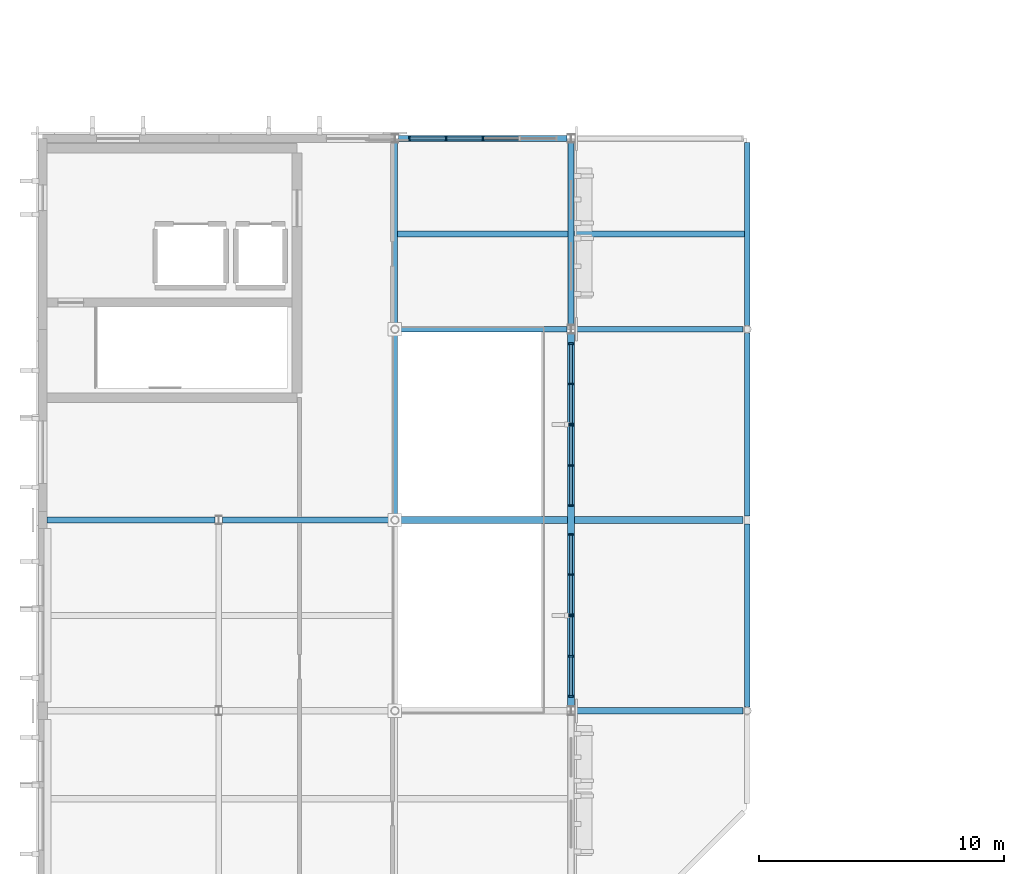
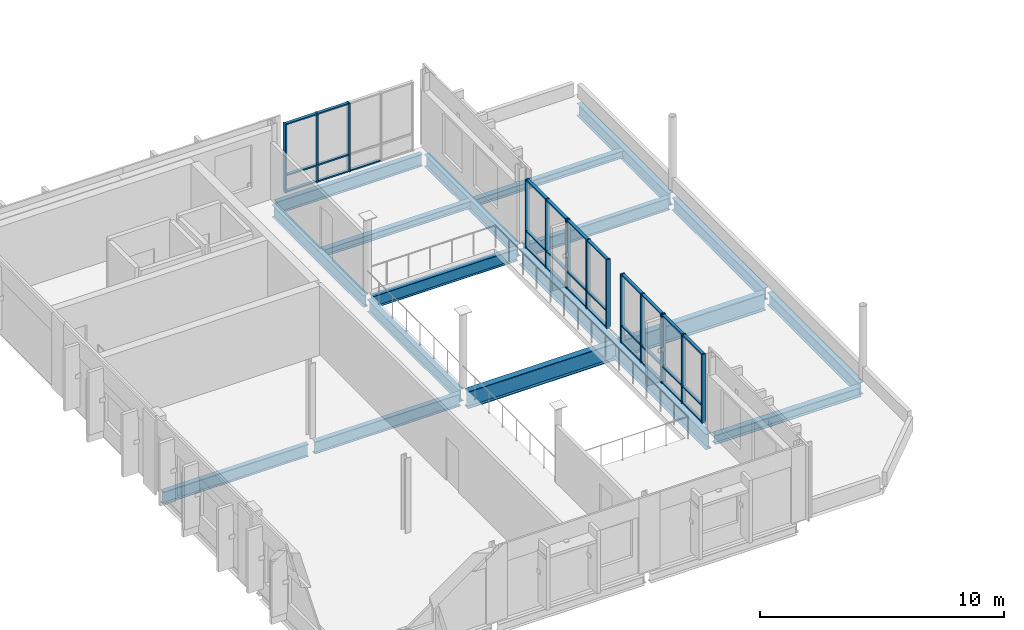
# One storey, part 4 of 23: 46 members, 16 beams, 5 elements without a shape of their own.
"""IFC4 building model written with IfcOpenShell, lengths in metres."""

import ifcopenshell
import ifcopenshell.guid

model = None  # the IFC model being written
_history = None  # IfcOwnerHistory: only IFC2X3 demands one
_inside = {}  # id of a spatial element -> (the spatial element, [elements in it])
_under = {}  # id of a project, library or spatial element -> (it, [spatial elements below it])
_declared = {}  # id of a project -> (the project, [libraries it declares])
_typed = {}  # id of a type object -> (the type object, [elements of that type])
_made_of = {}  # id of a material, layer set ... -> (it, [elements and type objects made of it])


def new_model(schema):
    """Start an empty IFC model of exactly this schema.

    Asked for "IFC4X3", IfcOpenShell would pick the latest addendum, in which some entities
    have other attributes; the version numbers below select the first issue.
    IFC2X3 requires an IfcOwnerHistory on every rooted entity: one is made here for all.
    """
    global model, _history
    if schema == "IFC4X3":
        model = ifcopenshell.file(schema_version=(4, 3, 0, 0))
    else:
        model = ifcopenshell.file(schema=schema)
    _inside.clear()
    _under.clear()
    _declared.clear()
    _typed.clear()
    _made_of.clear()
    _history = None
    if model.schema == "IFC2X3":
        org = make("IfcOrganization", Name="unknown")
        user = make(
            "IfcPersonAndOrganization",
            ThePerson=make("IfcPerson", FamilyName="unknown"),
            TheOrganization=org,
        )
        app = make(
            "IfcApplication",
            ApplicationDeveloper=org,
            Version="unknown",
            ApplicationFullName="unknown",
            ApplicationIdentifier="unknown",
        )
        _history = make(
            "IfcOwnerHistory",
            OwningUser=user,
            OwningApplication=app,
            ChangeAction="ADDED",
            CreationDate=0,
        )
    return model


def make(cls, **values):
    """One entity of the class cls with the attributes given. An attribute that is None is left unset."""
    return model.create_entity(
        cls, **{name: value for name, value in values.items() if value is not None}
    )


def rooted(cls, **values):
    """An entity with a GlobalId (a new one), such as an element, a storey or a relation."""
    return make(cls, GlobalId=ifcopenshell.guid.new(), OwnerHistory=_history, **values)


def si_unit(unit_type, name, prefix=None):
    """IfcSIUnit, for example si_unit("LENGTHUNIT", "METRE", prefix="MILLI")."""
    return make("IfcSIUnit", UnitType=unit_type, Prefix=prefix, Name=name)


def assignment(units):
    """IfcUnitAssignment: the units of a project."""
    return None if units is None else make("IfcUnitAssignment", Units=units)


def point(xyz):
    """IfcCartesianPoint."""
    return None if xyz is None else make("IfcCartesianPoint", Coordinates=xyz)


def direction(xyz):
    """IfcDirection."""
    return None if xyz is None else make("IfcDirection", DirectionRatios=xyz)


def frame(location, z_axis=None, x_axis=None):
    """IfcAxis2Placement3D, a coordinate frame: its origin and axes. An axis left out is left unset."""
    return make(
        "IfcAxis2Placement3D",
        Location=point(location),
        Axis=direction(z_axis),
        RefDirection=direction(x_axis),
    )


def frame_2d(location, x_axis=None):
    """IfcAxis2Placement2D, a coordinate frame in the plane: its origin and x axis."""
    return make(
        "IfcAxis2Placement2D", Location=point(location), RefDirection=direction(x_axis)
    )


def origin():
    """The frame at (0, 0, 0) with its axes left unset."""
    return frame((0.0, 0.0, 0.0))


def origin_2d():
    """The frame at (0, 0) in the plane with its x axis left unset."""
    return frame_2d((0.0, 0.0))


def place(relative_to, where):
    """IfcLocalPlacement: puts the frame where relative to a parent placement (None: the world)."""
    return make(
        "IfcLocalPlacement", PlacementRelTo=relative_to, RelativePlacement=where
    )


def context(
    kind, dimensions, precision=None, world=None, true_north=None, identifier=None
):
    """IfcGeometricRepresentationContext, for example the 3D "Model" context."""
    return make(
        "IfcGeometricRepresentationContext",
        ContextIdentifier=identifier,
        ContextType=kind,
        CoordinateSpaceDimension=dimensions,
        Precision=precision,
        WorldCoordinateSystem=world,
        TrueNorth=true_north,
    )


def subcontext(parent, identifier, kind, view, scale=None):
    """IfcGeometricRepresentationSubContext, for example "Body" below "Model"."""
    return make(
        "IfcGeometricRepresentationSubContext",
        ContextIdentifier=identifier,
        ContextType=kind,
        ParentContext=parent,
        TargetScale=scale,
        TargetView=view,
    )


def project(units=None, contexts=None):
    """IfcProject with its units and contexts."""
    return rooted(
        "IfcProject",
        Name="project",
        RepresentationContexts=contexts,
        UnitsInContext=assignment(units),
    )


def spatial(cls, under=None, at=None, **own):
    """A site, building, storey or space (cls), placed at a placement, below another one or the project."""
    s = rooted(cls, ObjectPlacement=at, **own)
    if under is not None:
        _under.setdefault(under.id(), (under, []))[1].append(s)
    return s


def profile(cls, at=None, kind="AREA", **sizes):
    """A parametric profile (cls). Its sizes go by their IFC names, for example OverallWidth=200.0."""
    return make(cls, ProfileType=kind, Position=at, **sizes)


def rectangle(**sizes):
    """IfcRectangleProfileDef."""
    return profile("IfcRectangleProfileDef", **sizes)


def i_section(**sizes):
    """IfcIShapeProfileDef."""
    return profile("IfcIShapeProfileDef", **sizes)


def extrude(swept, where, along, depth):
    """IfcExtrudedAreaSolid: the profile swept, set in the frame where, extruded along a direction by depth."""
    return make(
        "IfcExtrudedAreaSolid",
        SweptArea=swept,
        Position=where,
        ExtrudedDirection=direction(along),
        Depth=depth,
    )


def shape(context_of_items, identifier, shape_type, items):
    """IfcShapeRepresentation: the items that make up one representation, for example the "Body"."""
    return make(
        "IfcShapeRepresentation",
        ContextOfItems=context_of_items,
        RepresentationIdentifier=identifier,
        RepresentationType=shape_type,
        Items=items,
    )


def material(Name=None, Category=None):
    """IfcMaterial."""
    return make("IfcMaterial", Name=Name, Category=Category)


def material_profile(
    of_material, cross_section, Name=None, Category=None, Priority=None
):
    """IfcMaterialProfile: a cross section and its material."""
    return make(
        "IfcMaterialProfile",
        Name=Name,
        Material=of_material,
        Profile=cross_section,
        Priority=Priority,
        Category=Category,
    )


def profile_set(profiles, Name=None, composite=None):
    """IfcMaterialProfileSet."""
    return make(
        "IfcMaterialProfileSet",
        Name=Name,
        MaterialProfiles=profiles,
        CompositeProfile=composite,
    )


def made_of(thing, what):
    """Note that an element or type object is made of a material, layer set ...; save() writes the relation."""
    if what is not None:
        _made_of.setdefault(what.id(), (what, []))[1].append(thing)
    return thing


def type_object(cls, material=None, **own):
    """A type object (cls), such as IfcWallType, which elements share."""
    return made_of(rooted(cls, **own), material)


def element(
    cls,
    number,
    at=None,
    inside=None,
    cuts=None,
    type_object=None,
    material=None,
    context=None,
    identifier="Body",
    shape_type=None,
    held_by="IfcProductDefinitionShape",
    body=None,
    shapes=None,
    **own,
):
    """One element of the class cls, such as IfcWall. Its Tag is "e" and its number.

    at: its placement. inside: the storey or other place that contains it. cuts: it is an
    opening in that element (IfcRelVoidsElement). A single representation is given by context,
    identifier, shape_type and body (its items); several are given by shapes. held_by: the class
    of the entity that holds the representations. save() writes the other relations.
    """
    e = rooted(cls, Tag="e%d" % number, ObjectPlacement=at, **own)
    if body is not None:
        shapes = [shape(context, identifier, shape_type, body)]
    if shapes is not None:
        e.Representation = make(held_by, Representations=shapes)
    if inside is not None:
        _inside.setdefault(inside.id(), (inside, []))[1].append(e)
    if cuts is not None:
        rooted(
            "IfcRelVoidsElement", RelatingBuildingElement=cuts, RelatedOpeningElement=e
        )
    if type_object is not None:
        _typed.setdefault(type_object.id(), (type_object, []))[1].append(e)
    return made_of(e, material)


def aggregate(whole, parts):
    """IfcRelAggregates: a whole, such as a stair, and the parts it consists of."""
    return rooted("IfcRelAggregates", RelatingObject=whole, RelatedObjects=parts)


def save(model, path):
    """Write the relations noted so far, then the file.

    IfcRelAggregates (storeys below a building ...), IfcRelContainedInSpatialStructure (elements
    in a storey), IfcRelDefinesByType, IfcRelAssociatesMaterial and IfcRelDeclares: one each for
    every whole, place, type object, material and project.
    """
    for whole, parts in _under.values():
        aggregate(whole, parts)
    for where, things in _inside.values():
        rooted(
            "IfcRelContainedInSpatialStructure",
            RelatedElements=things,
            RelatingStructure=where,
        )
    for kind, things in _typed.values():
        rooted("IfcRelDefinesByType", RelatedObjects=things, RelatingType=kind)
    for what, things in _made_of.values():
        rooted("IfcRelAssociatesMaterial", RelatedObjects=things, RelatingMaterial=what)
    for by, libraries in _declared.values():
        rooted("IfcRelDeclares", RelatingContext=by, RelatedDefinitions=libraries)
    model.write(path)


model = new_model("IFC4")

# Units and contexts
model_context = context("Model", 3, precision=1e-05, world=origin(), true_north=direction((0.0, 1.0)))
body_context = subcontext(model_context, "Body", "Model", "MODEL_VIEW")
ifc_project = project(units=[si_unit("LENGTHUNIT", "METRE"), si_unit("AREAUNIT", "SQUARE_METRE"), si_unit("VOLUMEUNIT", "CUBIC_METRE"), si_unit("PLANEANGLEUNIT", "RADIAN"), si_unit("MASSUNIT", "GRAM", prefix="KILO")], contexts=[model_context])

# Site, building, storey
site_placement = place(None, origin())
site = spatial("IfcSite", under=ifc_project, at=site_placement, CompositionType="ELEMENT")
building_placement = place(site_placement, origin())
building = spatial("IfcBuilding", under=site, at=building_placement, Name="Vervanel Yard Central Library", CompositionType="ELEMENT")
storey_placement = place(building_placement, frame((0.0, 0.0, 16.52001953125)))
storey = spatial("IfcBuildingStorey", under=building, at=storey_placement, Name="L04", CompositionType="ELEMENT", Elevation=16.52001953125)

# Curtain wall, members
ifc_material_1 = material(Name="Thermally broken anodized aluminium 6063-T6", Category="aluminium")
curtain_wall_type = type_object("IfcCurtainWallType", Name="Atrium Courtyard Curtain Wall", PredefinedType="NOTDEFINED", material=ifc_material_1)
curtain_wall_1_placement = place(storey_placement, origin())
curtain_wall_1 = element("IfcCurtainWall", 1, at=curtain_wall_1_placement, inside=storey, type_object=curtain_wall_type, Name="L04 Atrium Courtyard Curtain Wall CWR-L04-043", PredefinedType="NOTDEFINED")
ifc_material_profile_1 = material_profile(ifc_material_1, rectangle(XDim=0.06494140625, YDim=0.18994140625, at=origin_2d()), Name="ALU 65x190", Category="aluminium")
ifc_profile_set_1 = profile_set([ifc_material_profile_1], Name="Thermally broken anodized aluminium 6063-T6")
member_type_1 = type_object("IfcMemberType", Name="Curtain Wall Primary Mullion 65x190", PredefinedType="MULLION", material=ifc_profile_set_1)
member_1_placement = place(storey_placement, frame((21.60009765625, 43.79248046875, 0.0), z_axis=(0.0, 0.0, 1.0), x_axis=(0.0, 1.0, 0.0)))
member_1 = element("IfcMember", 2, at=member_1_placement, type_object=member_type_1, Name="CWR-L04-043 Mullion 1", PredefinedType="MULLION", context=body_context, shape_type="SweptSolid", body=[
    extrude(rectangle(XDim=0.06494140625, YDim=0.18994140625, at=origin_2d()), origin(), (0.0, 0.0, 1.0), 3.43994140625),
])
member_2_placement = place(storey_placement, frame((21.60009765625, 45.429931640625, 0.0), z_axis=(0.0, 0.0, 1.0), x_axis=(0.0, 1.0, 0.0)))
member_2 = element("IfcMember", 3, at=member_2_placement, type_object=member_type_1, Name="CWR-L04-043 Mullion 2", PredefinedType="MULLION", context=body_context, shape_type="SweptSolid", body=[
    extrude(rectangle(XDim=0.06494140625, YDim=0.18994140625, at=origin_2d()), origin(), (0.0, 0.0, 1.0), 3.43994140625),
])
member_3_placement = place(storey_placement, frame((21.60009765625, 47.0673828125, 0.0), z_axis=(0.0, 0.0, 1.0), x_axis=(0.0, 1.0, 0.0)))
member_3 = element("IfcMember", 4, at=member_3_placement, type_object=member_type_1, Name="CWR-L04-043 Mullion 3", PredefinedType="MULLION", context=body_context, shape_type="SweptSolid", body=[
    extrude(rectangle(XDim=0.06494140625, YDim=0.18994140625, at=origin_2d()), origin(), (0.0, 0.0, 1.0), 3.43994140625),
])

curtain_wall_2_placement = place(storey_placement, origin())
curtain_wall_2 = element("IfcCurtainWall", 5, at=curtain_wall_2_placement, inside=storey, type_object=curtain_wall_type, Name="L04 Atrium Courtyard Curtain Wall CWR-L04-044", PredefinedType="NOTDEFINED")
member_4_placement = place(storey_placement, frame((21.60009765625, 47.132568359375, 0.0), z_axis=(0.0, 0.0, 1.0), x_axis=(0.0, 1.0, 0.0)))
member_4 = element("IfcMember", 6, at=member_4_placement, type_object=member_type_1, Name="CWR-L04-044 Mullion 1", PredefinedType="MULLION", context=body_context, shape_type="SweptSolid", body=[
    extrude(rectangle(XDim=0.06494140625, YDim=0.18994140625, at=origin_2d()), origin(), (0.0, 0.0, 1.0), 3.43994140625),
])
member_5_placement = place(storey_placement, frame((21.60009765625, 48.77001953125, 0.0), z_axis=(0.0, 0.0, 1.0), x_axis=(0.0, 1.0, 0.0)))
member_5 = element("IfcMember", 7, at=member_5_placement, type_object=member_type_1, Name="CWR-L04-044 Mullion 2", PredefinedType="MULLION", context=body_context, shape_type="SweptSolid", body=[
    extrude(rectangle(XDim=0.06494140625, YDim=0.18994140625, at=origin_2d()), origin(), (0.0, 0.0, 1.0), 3.43994140625),
])
member_6_placement = place(storey_placement, frame((21.60009765625, 50.407470703125, 0.0), z_axis=(0.0, 0.0, 1.0), x_axis=(0.0, 1.0, 0.0)))
member_6 = element("IfcMember", 8, at=member_6_placement, type_object=member_type_1, Name="CWR-L04-044 Mullion 3", PredefinedType="MULLION", context=body_context, shape_type="SweptSolid", body=[
    extrude(rectangle(XDim=0.06494140625, YDim=0.18994140625, at=origin_2d()), origin(), (0.0, 0.0, 1.0), 3.43994140625),
])

curtain_wall_3_placement = place(storey_placement, origin())
curtain_wall_3 = element("IfcCurtainWall", 9, at=curtain_wall_3_placement, inside=storey, type_object=curtain_wall_type, Name="L04 Atrium Courtyard Curtain Wall CWR-L04-045", PredefinedType="NOTDEFINED")
member_7_placement = place(storey_placement, frame((21.60009765625, 51.592529296875, 0.0), z_axis=(0.0, 0.0, 1.0), x_axis=(0.0, 1.0, 0.0)))
member_7 = element("IfcMember", 10, at=member_7_placement, type_object=member_type_1, Name="CWR-L04-045 Mullion 1", PredefinedType="MULLION", context=body_context, shape_type="SweptSolid", body=[
    extrude(rectangle(XDim=0.06494140625, YDim=0.18994140625, at=origin_2d()), origin(), (0.0, 0.0, 1.0), 3.43994140625),
])
member_8_placement = place(storey_placement, frame((21.60009765625, 53.22998046875, 0.0), z_axis=(0.0, 0.0, 1.0), x_axis=(0.0, 1.0, 0.0)))
member_8 = element("IfcMember", 11, at=member_8_placement, type_object=member_type_1, Name="CWR-L04-045 Mullion 2", PredefinedType="MULLION", context=body_context, shape_type="SweptSolid", body=[
    extrude(rectangle(XDim=0.06494140625, YDim=0.18994140625, at=origin_2d()), origin(), (0.0, 0.0, 1.0), 3.43994140625),
])
member_9_placement = place(storey_placement, frame((21.60009765625, 54.867431640625, 0.0), z_axis=(0.0, 0.0, 1.0), x_axis=(0.0, 1.0, 0.0)))
member_9 = element("IfcMember", 12, at=member_9_placement, type_object=member_type_1, Name="CWR-L04-045 Mullion 3", PredefinedType="MULLION", context=body_context, shape_type="SweptSolid", body=[
    extrude(rectangle(XDim=0.06494140625, YDim=0.18994140625, at=origin_2d()), origin(), (0.0, 0.0, 1.0), 3.43994140625),
])

curtain_wall_4_placement = place(storey_placement, origin())
curtain_wall_4 = element("IfcCurtainWall", 13, at=curtain_wall_4_placement, inside=storey, type_object=curtain_wall_type, Name="L04 Atrium Courtyard Curtain Wall CWR-L04-046", PredefinedType="NOTDEFINED")
member_10_placement = place(storey_placement, frame((21.60009765625, 54.9326171875, 0.0), z_axis=(0.0, 0.0, 1.0), x_axis=(0.0, 1.0, 0.0)))
member_10 = element("IfcMember", 14, at=member_10_placement, type_object=member_type_1, Name="CWR-L04-046 Mullion 1", PredefinedType="MULLION", context=body_context, shape_type="SweptSolid", body=[
    extrude(rectangle(XDim=0.06494140625, YDim=0.18994140625, at=origin_2d()), origin(), (0.0, 0.0, 1.0), 3.43994140625),
])
member_11_placement = place(storey_placement, frame((21.60009765625, 56.570068359375, 0.0), z_axis=(0.0, 0.0, 1.0), x_axis=(0.0, 1.0, 0.0)))
member_11 = element("IfcMember", 15, at=member_11_placement, type_object=member_type_1, Name="CWR-L04-046 Mullion 2", PredefinedType="MULLION", context=body_context, shape_type="SweptSolid", body=[
    extrude(rectangle(XDim=0.06494140625, YDim=0.18994140625, at=origin_2d()), origin(), (0.0, 0.0, 1.0), 3.43994140625),
])
member_12_placement = place(storey_placement, frame((21.60009765625, 58.20751953125, 0.0), z_axis=(0.0, 0.0, 1.0), x_axis=(0.0, 1.0, 0.0)))
member_12 = element("IfcMember", 16, at=member_12_placement, type_object=member_type_1, Name="CWR-L04-046 Mullion 3", PredefinedType="MULLION", context=body_context, shape_type="SweptSolid", body=[
    extrude(rectangle(XDim=0.06494140625, YDim=0.18994140625, at=origin_2d()), origin(), (0.0, 0.0, 1.0), 3.43994140625),
])

curtain_wall_5_placement = place(storey_placement, origin())
curtain_wall_5 = element("IfcCurtainWall", 17, at=curtain_wall_5_placement, inside=storey, type_object=curtain_wall_type, Name="L04 Atrium Courtyard Curtain Wall CWR-L04-047", PredefinedType="NOTDEFINED")
member_13_placement = place(storey_placement, frame((14.992431640625, 66.60009765625, 0.0), z_axis=(0.0, 0.0, 1.0), x_axis=(1.0, 0.0, 0.0)))
member_13 = element("IfcMember", 18, at=member_13_placement, type_object=member_type_1, Name="CWR-L04-047 Mullion 1", PredefinedType="MULLION", context=body_context, shape_type="SweptSolid", body=[
    extrude(rectangle(XDim=0.06494140625, YDim=0.18994140625, at=origin_2d()), origin(), (0.0, 0.0, 1.0), 3.43994140625),
])
member_14_placement = place(storey_placement, frame((16.496337890625, 66.60009765625, 0.0), z_axis=(0.0, 0.0, 1.0), x_axis=(1.0, 0.0, 0.0)))
member_14 = element("IfcMember", 19, at=member_14_placement, type_object=member_type_1, Name="CWR-L04-047 Mullion 2", PredefinedType="MULLION", context=body_context, shape_type="SweptSolid", body=[
    extrude(rectangle(XDim=0.06494140625, YDim=0.18994140625, at=origin_2d()), origin(), (0.0, 0.0, 1.0), 3.43994140625),
])
member_15_placement = place(storey_placement, frame((18.0, 66.60009765625, 0.0), z_axis=(0.0, 0.0, 1.0), x_axis=(1.0, 0.0, 0.0)))
member_15 = element("IfcMember", 20, at=member_15_placement, type_object=member_type_1, Name="CWR-L04-047 Mullion 3", PredefinedType="MULLION", context=body_context, shape_type="SweptSolid", body=[
    extrude(rectangle(XDim=0.06494140625, YDim=0.18994140625, at=origin_2d()), origin(), (0.0, 0.0, 1.0), 3.43994140625),
])

# Member
ifc_material_profile_2 = material_profile(ifc_material_1, rectangle(XDim=0.06494140625, YDim=0.139892578125, at=origin_2d()), Name="ALU 65x140", Category="aluminium")
ifc_profile_set_2 = profile_set([ifc_material_profile_2], Name="Thermally broken anodized aluminium 6063-T6")
member_type_2 = type_object("IfcMemberType", Name="Curtain Wall Transom 65x140", PredefinedType="NOTDEFINED", material=ifc_profile_set_2)
member_16_placement = place(storey_placement, frame((21.60009765625, 43.824951171875, 0.032470703125), z_axis=(0.0, 1.0, 0.0), x_axis=(0.0, 0.0, 1.0)))
member_16 = element("IfcMember", 21, at=member_16_placement, type_object=member_type_2, Name="CWR-L04-043 Transom B1-T1", ObjectType="TRANSOM", PredefinedType="USERDEFINED", context=body_context, shape_type="SweptSolid", body=[
    extrude(rectangle(XDim=0.06494140625, YDim=0.139892578125, at=origin_2d()), origin(), (0.0, 0.0, 1.0), 1.572509765625),
])

member_17_placement = place(storey_placement, frame((21.60009765625, 43.824951171875, 0.85009765625), z_axis=(0.0, 1.0, 0.0), x_axis=(0.0, 0.0, 1.0)))
member_17 = element("IfcMember", 22, at=member_17_placement, type_object=member_type_2, Name="CWR-L04-043 Transom B1-T2", ObjectType="TRANSOM", PredefinedType="USERDEFINED", context=body_context, shape_type="SweptSolid", body=[
    extrude(rectangle(XDim=0.06494140625, YDim=0.139892578125, at=origin_2d()), origin(), (0.0, 0.0, 1.0), 1.572509765625),
])

member_18_placement = place(storey_placement, frame((21.60009765625, 43.824951171875, 3.407470703125), z_axis=(0.0, 1.0, 0.0), x_axis=(0.0, 0.0, 1.0)))
member_18 = element("IfcMember", 23, at=member_18_placement, type_object=member_type_2, Name="CWR-L04-043 Transom B1-T3", ObjectType="TRANSOM", PredefinedType="USERDEFINED", context=body_context, shape_type="SweptSolid", body=[
    extrude(rectangle(XDim=0.06494140625, YDim=0.139892578125, at=origin_2d()), origin(), (0.0, 0.0, 1.0), 1.572509765625),
])

member_19_placement = place(storey_placement, frame((21.60009765625, 45.46240234375, 0.032470703125), z_axis=(0.0, 1.0, 0.0), x_axis=(0.0, 0.0, 1.0)))
member_19 = element("IfcMember", 24, at=member_19_placement, type_object=member_type_2, Name="CWR-L04-043 Transom B2-T1", ObjectType="TRANSOM", PredefinedType="USERDEFINED", context=body_context, shape_type="SweptSolid", body=[
    extrude(rectangle(XDim=0.06494140625, YDim=0.139892578125, at=origin_2d()), origin(), (0.0, 0.0, 1.0), 1.572509765625),
])

member_20_placement = place(storey_placement, frame((21.60009765625, 45.46240234375, 0.85009765625), z_axis=(0.0, 1.0, 0.0), x_axis=(0.0, 0.0, 1.0)))
member_20 = element("IfcMember", 25, at=member_20_placement, type_object=member_type_2, Name="CWR-L04-043 Transom B2-T2", ObjectType="TRANSOM", PredefinedType="USERDEFINED", context=body_context, shape_type="SweptSolid", body=[
    extrude(rectangle(XDim=0.06494140625, YDim=0.139892578125, at=origin_2d()), origin(), (0.0, 0.0, 1.0), 1.572509765625),
])

member_21_placement = place(storey_placement, frame((21.60009765625, 45.46240234375, 3.407470703125), z_axis=(0.0, 1.0, 0.0), x_axis=(0.0, 0.0, 1.0)))
member_21 = element("IfcMember", 26, at=member_21_placement, type_object=member_type_2, Name="CWR-L04-043 Transom B2-T3", ObjectType="TRANSOM", PredefinedType="USERDEFINED", context=body_context, shape_type="SweptSolid", body=[
    extrude(rectangle(XDim=0.06494140625, YDim=0.139892578125, at=origin_2d()), origin(), (0.0, 0.0, 1.0), 1.572509765625),
])

aggregate(curtain_wall_1, [member_1, member_2, member_3, member_16, member_17, member_18, member_19, member_20, member_21])

member_22_placement = place(storey_placement, frame((21.60009765625, 47.1650390625, 0.032470703125), z_axis=(0.0, 1.0, 0.0), x_axis=(0.0, 0.0, 1.0)))
member_22 = element("IfcMember", 27, at=member_22_placement, type_object=member_type_2, Name="CWR-L04-044 Transom B1-T1", ObjectType="TRANSOM", PredefinedType="USERDEFINED", context=body_context, shape_type="SweptSolid", body=[
    extrude(rectangle(XDim=0.06494140625, YDim=0.139892578125, at=origin_2d()), origin(), (0.0, 0.0, 1.0), 1.572509765625),
])

member_23_placement = place(storey_placement, frame((21.60009765625, 47.1650390625, 0.85009765625), z_axis=(0.0, 1.0, 0.0), x_axis=(0.0, 0.0, 1.0)))
member_23 = element("IfcMember", 28, at=member_23_placement, type_object=member_type_2, Name="CWR-L04-044 Transom B1-T2", ObjectType="TRANSOM", PredefinedType="USERDEFINED", context=body_context, shape_type="SweptSolid", body=[
    extrude(rectangle(XDim=0.06494140625, YDim=0.139892578125, at=origin_2d()), origin(), (0.0, 0.0, 1.0), 1.572509765625),
])

member_24_placement = place(storey_placement, frame((21.60009765625, 47.1650390625, 3.407470703125), z_axis=(0.0, 1.0, 0.0), x_axis=(0.0, 0.0, 1.0)))
member_24 = element("IfcMember", 29, at=member_24_placement, type_object=member_type_2, Name="CWR-L04-044 Transom B1-T3", ObjectType="TRANSOM", PredefinedType="USERDEFINED", context=body_context, shape_type="SweptSolid", body=[
    extrude(rectangle(XDim=0.06494140625, YDim=0.139892578125, at=origin_2d()), origin(), (0.0, 0.0, 1.0), 1.572509765625),
])

member_25_placement = place(storey_placement, frame((21.60009765625, 48.802490234375, 0.032470703125), z_axis=(0.0, 1.0, 0.0), x_axis=(0.0, 0.0, 1.0)))
member_25 = element("IfcMember", 30, at=member_25_placement, type_object=member_type_2, Name="CWR-L04-044 Transom B2-T1", ObjectType="TRANSOM", PredefinedType="USERDEFINED", context=body_context, shape_type="SweptSolid", body=[
    extrude(rectangle(XDim=0.06494140625, YDim=0.139892578125, at=origin_2d()), origin(), (0.0, 0.0, 1.0), 1.572509765625),
])

member_26_placement = place(storey_placement, frame((21.60009765625, 48.802490234375, 0.85009765625), z_axis=(0.0, 1.0, 0.0), x_axis=(0.0, 0.0, 1.0)))
member_26 = element("IfcMember", 31, at=member_26_placement, type_object=member_type_2, Name="CWR-L04-044 Transom B2-T2", ObjectType="TRANSOM", PredefinedType="USERDEFINED", context=body_context, shape_type="SweptSolid", body=[
    extrude(rectangle(XDim=0.06494140625, YDim=0.139892578125, at=origin_2d()), origin(), (0.0, 0.0, 1.0), 1.572509765625),
])

member_27_placement = place(storey_placement, frame((21.60009765625, 48.802490234375, 3.407470703125), z_axis=(0.0, 1.0, 0.0), x_axis=(0.0, 0.0, 1.0)))
member_27 = element("IfcMember", 32, at=member_27_placement, type_object=member_type_2, Name="CWR-L04-044 Transom B2-T3", ObjectType="TRANSOM", PredefinedType="USERDEFINED", context=body_context, shape_type="SweptSolid", body=[
    extrude(rectangle(XDim=0.06494140625, YDim=0.139892578125, at=origin_2d()), origin(), (0.0, 0.0, 1.0), 1.572509765625),
])

aggregate(curtain_wall_2, [member_4, member_5, member_6, member_22, member_23, member_24, member_25, member_26, member_27])

member_28_placement = place(storey_placement, frame((21.60009765625, 51.625, 0.032470703125), z_axis=(0.0, 1.0, 0.0), x_axis=(0.0, 0.0, 1.0)))
member_28 = element("IfcMember", 33, at=member_28_placement, type_object=member_type_2, Name="CWR-L04-045 Transom B1-T1", ObjectType="TRANSOM", PredefinedType="USERDEFINED", context=body_context, shape_type="SweptSolid", body=[
    extrude(rectangle(XDim=0.06494140625, YDim=0.139892578125, at=origin_2d()), origin(), (0.0, 0.0, 1.0), 1.572509765625),
])

member_29_placement = place(storey_placement, frame((21.60009765625, 51.625, 0.85009765625), z_axis=(0.0, 1.0, 0.0), x_axis=(0.0, 0.0, 1.0)))
member_29 = element("IfcMember", 34, at=member_29_placement, type_object=member_type_2, Name="CWR-L04-045 Transom B1-T2", ObjectType="TRANSOM", PredefinedType="USERDEFINED", context=body_context, shape_type="SweptSolid", body=[
    extrude(rectangle(XDim=0.06494140625, YDim=0.139892578125, at=origin_2d()), origin(), (0.0, 0.0, 1.0), 1.572509765625),
])

member_30_placement = place(storey_placement, frame((21.60009765625, 51.625, 3.407470703125), z_axis=(0.0, 1.0, 0.0), x_axis=(0.0, 0.0, 1.0)))
member_30 = element("IfcMember", 35, at=member_30_placement, type_object=member_type_2, Name="CWR-L04-045 Transom B1-T3", ObjectType="TRANSOM", PredefinedType="USERDEFINED", context=body_context, shape_type="SweptSolid", body=[
    extrude(rectangle(XDim=0.06494140625, YDim=0.139892578125, at=origin_2d()), origin(), (0.0, 0.0, 1.0), 1.572509765625),
])

member_31_placement = place(storey_placement, frame((21.60009765625, 53.262451171875, 0.032470703125), z_axis=(0.0, 1.0, 0.0), x_axis=(0.0, 0.0, 1.0)))
member_31 = element("IfcMember", 36, at=member_31_placement, type_object=member_type_2, Name="CWR-L04-045 Transom B2-T1", ObjectType="TRANSOM", PredefinedType="USERDEFINED", context=body_context, shape_type="SweptSolid", body=[
    extrude(rectangle(XDim=0.06494140625, YDim=0.139892578125, at=origin_2d()), origin(), (0.0, 0.0, 1.0), 1.572509765625),
])

member_32_placement = place(storey_placement, frame((21.60009765625, 53.262451171875, 0.85009765625), z_axis=(0.0, 1.0, 0.0), x_axis=(0.0, 0.0, 1.0)))
member_32 = element("IfcMember", 37, at=member_32_placement, type_object=member_type_2, Name="CWR-L04-045 Transom B2-T2", ObjectType="TRANSOM", PredefinedType="USERDEFINED", context=body_context, shape_type="SweptSolid", body=[
    extrude(rectangle(XDim=0.06494140625, YDim=0.139892578125, at=origin_2d()), origin(), (0.0, 0.0, 1.0), 1.572509765625),
])

member_33_placement = place(storey_placement, frame((21.60009765625, 53.262451171875, 3.407470703125), z_axis=(0.0, 1.0, 0.0), x_axis=(0.0, 0.0, 1.0)))
member_33 = element("IfcMember", 38, at=member_33_placement, type_object=member_type_2, Name="CWR-L04-045 Transom B2-T3", ObjectType="TRANSOM", PredefinedType="USERDEFINED", context=body_context, shape_type="SweptSolid", body=[
    extrude(rectangle(XDim=0.06494140625, YDim=0.139892578125, at=origin_2d()), origin(), (0.0, 0.0, 1.0), 1.572509765625),
])

aggregate(curtain_wall_3, [member_7, member_8, member_9, member_28, member_29, member_30, member_31, member_32, member_33])

member_34_placement = place(storey_placement, frame((21.60009765625, 54.965087890625, 0.032470703125), z_axis=(0.0, 1.0, 0.0), x_axis=(0.0, 0.0, 1.0)))
member_34 = element("IfcMember", 39, at=member_34_placement, type_object=member_type_2, Name="CWR-L04-046 Transom B1-T1", ObjectType="TRANSOM", PredefinedType="USERDEFINED", context=body_context, shape_type="SweptSolid", body=[
    extrude(rectangle(XDim=0.06494140625, YDim=0.139892578125, at=origin_2d()), origin(), (0.0, 0.0, 1.0), 1.572509765625),
])

member_35_placement = place(storey_placement, frame((21.60009765625, 54.965087890625, 0.85009765625), z_axis=(0.0, 1.0, 0.0), x_axis=(0.0, 0.0, 1.0)))
member_35 = element("IfcMember", 40, at=member_35_placement, type_object=member_type_2, Name="CWR-L04-046 Transom B1-T2", ObjectType="TRANSOM", PredefinedType="USERDEFINED", context=body_context, shape_type="SweptSolid", body=[
    extrude(rectangle(XDim=0.06494140625, YDim=0.139892578125, at=origin_2d()), origin(), (0.0, 0.0, 1.0), 1.572509765625),
])

member_36_placement = place(storey_placement, frame((21.60009765625, 54.965087890625, 3.407470703125), z_axis=(0.0, 1.0, 0.0), x_axis=(0.0, 0.0, 1.0)))
member_36 = element("IfcMember", 41, at=member_36_placement, type_object=member_type_2, Name="CWR-L04-046 Transom B1-T3", ObjectType="TRANSOM", PredefinedType="USERDEFINED", context=body_context, shape_type="SweptSolid", body=[
    extrude(rectangle(XDim=0.06494140625, YDim=0.139892578125, at=origin_2d()), origin(), (0.0, 0.0, 1.0), 1.572509765625),
])

member_37_placement = place(storey_placement, frame((21.60009765625, 56.6025390625, 0.032470703125), z_axis=(0.0, 1.0, 0.0), x_axis=(0.0, 0.0, 1.0)))
member_37 = element("IfcMember", 42, at=member_37_placement, type_object=member_type_2, Name="CWR-L04-046 Transom B2-T1", ObjectType="TRANSOM", PredefinedType="USERDEFINED", context=body_context, shape_type="SweptSolid", body=[
    extrude(rectangle(XDim=0.06494140625, YDim=0.139892578125, at=origin_2d()), origin(), (0.0, 0.0, 1.0), 1.572509765625),
])

member_38_placement = place(storey_placement, frame((21.60009765625, 56.6025390625, 0.85009765625), z_axis=(0.0, 1.0, 0.0), x_axis=(0.0, 0.0, 1.0)))
member_38 = element("IfcMember", 43, at=member_38_placement, type_object=member_type_2, Name="CWR-L04-046 Transom B2-T2", ObjectType="TRANSOM", PredefinedType="USERDEFINED", context=body_context, shape_type="SweptSolid", body=[
    extrude(rectangle(XDim=0.06494140625, YDim=0.139892578125, at=origin_2d()), origin(), (0.0, 0.0, 1.0), 1.572509765625),
])

member_39_placement = place(storey_placement, frame((21.60009765625, 56.6025390625, 3.407470703125), z_axis=(0.0, 1.0, 0.0), x_axis=(0.0, 0.0, 1.0)))
member_39 = element("IfcMember", 44, at=member_39_placement, type_object=member_type_2, Name="CWR-L04-046 Transom B2-T3", ObjectType="TRANSOM", PredefinedType="USERDEFINED", context=body_context, shape_type="SweptSolid", body=[
    extrude(rectangle(XDim=0.06494140625, YDim=0.139892578125, at=origin_2d()), origin(), (0.0, 0.0, 1.0), 1.572509765625),
])

aggregate(curtain_wall_4, [member_10, member_11, member_12, member_34, member_35, member_36, member_37, member_38, member_39])

member_40_placement = place(storey_placement, frame((15.02490234375, 66.60009765625, 0.032470703125), z_axis=(1.0, 0.0, 0.0), x_axis=(0.0, 0.0, 1.0)))
member_40 = element("IfcMember", 45, at=member_40_placement, type_object=member_type_2, Name="CWR-L04-047 Transom B1-T1", ObjectType="TRANSOM", PredefinedType="USERDEFINED", context=body_context, shape_type="SweptSolid", body=[
    extrude(rectangle(XDim=0.06494140625, YDim=0.139892578125, at=origin_2d()), origin(), (0.0, 0.0, 1.0), 1.43896484375),
])

member_41_placement = place(storey_placement, frame((15.02490234375, 66.60009765625, 0.85009765625), z_axis=(1.0, 0.0, 0.0), x_axis=(0.0, 0.0, 1.0)))
member_41 = element("IfcMember", 46, at=member_41_placement, type_object=member_type_2, Name="CWR-L04-047 Transom B1-T2", ObjectType="TRANSOM", PredefinedType="USERDEFINED", context=body_context, shape_type="SweptSolid", body=[
    extrude(rectangle(XDim=0.06494140625, YDim=0.139892578125, at=origin_2d()), origin(), (0.0, 0.0, 1.0), 1.43896484375),
])

member_42_placement = place(storey_placement, frame((15.02490234375, 66.60009765625, 3.407470703125), z_axis=(1.0, 0.0, 0.0), x_axis=(0.0, 0.0, 1.0)))
member_42 = element("IfcMember", 47, at=member_42_placement, type_object=member_type_2, Name="CWR-L04-047 Transom B1-T3", ObjectType="TRANSOM", PredefinedType="USERDEFINED", context=body_context, shape_type="SweptSolid", body=[
    extrude(rectangle(XDim=0.06494140625, YDim=0.139892578125, at=origin_2d()), origin(), (0.0, 0.0, 1.0), 1.43896484375),
])

member_43_placement = place(storey_placement, frame((16.52880859375, 66.60009765625, 0.032470703125), z_axis=(1.0, 0.0, 0.0), x_axis=(0.0, 0.0, 1.0)))
member_43 = element("IfcMember", 48, at=member_43_placement, type_object=member_type_2, Name="CWR-L04-047 Transom B2-T1", ObjectType="TRANSOM", PredefinedType="USERDEFINED", context=body_context, shape_type="SweptSolid", body=[
    extrude(rectangle(XDim=0.06494140625, YDim=0.139892578125, at=origin_2d()), origin(), (0.0, 0.0, 1.0), 1.438720703125),
])

member_44_placement = place(storey_placement, frame((16.52880859375, 66.60009765625, 0.85009765625), z_axis=(1.0, 0.0, 0.0), x_axis=(0.0, 0.0, 1.0)))
member_44 = element("IfcMember", 49, at=member_44_placement, type_object=member_type_2, Name="CWR-L04-047 Transom B2-T2", ObjectType="TRANSOM", PredefinedType="USERDEFINED", context=body_context, shape_type="SweptSolid", body=[
    extrude(rectangle(XDim=0.06494140625, YDim=0.139892578125, at=origin_2d()), origin(), (0.0, 0.0, 1.0), 1.438720703125),
])

member_45_placement = place(storey_placement, frame((16.52880859375, 66.60009765625, 3.407470703125), z_axis=(1.0, 0.0, 0.0), x_axis=(0.0, 0.0, 1.0)))
member_45 = element("IfcMember", 50, at=member_45_placement, type_object=member_type_2, Name="CWR-L04-047 Transom B2-T3", ObjectType="TRANSOM", PredefinedType="USERDEFINED", context=body_context, shape_type="SweptSolid", body=[
    extrude(rectangle(XDim=0.06494140625, YDim=0.139892578125, at=origin_2d()), origin(), (0.0, 0.0, 1.0), 1.438720703125),
])

member_46_placement = place(storey_placement, frame((18.032470703125, 66.60009765625, 0.032470703125), z_axis=(1.0, 0.0, 0.0), x_axis=(0.0, 0.0, 1.0)))
member_46 = element("IfcMember", 51, at=member_46_placement, type_object=member_type_2, Name="CWR-L04-047 Transom B3-T1", ObjectType="TRANSOM", PredefinedType="USERDEFINED", context=body_context, shape_type="SweptSolid", body=[
    extrude(rectangle(XDim=0.06494140625, YDim=0.139892578125, at=origin_2d()), origin(), (0.0, 0.0, 1.0), 1.438720703125),
])

aggregate(curtain_wall_5, [member_13, member_14, member_15, member_40, member_41, member_42, member_43, member_44, member_45, member_46])

# Beams
ifc_material_2 = material(Name="Steel ASTM A992 Grade 50", Category="steel")
ifc_material_profile_3 = material_profile(ifc_material_2, i_section(OverallWidth=0.25390625, OverallDepth=0.355712890625, WebThickness=0.010498046875, FlangeThickness=0.018310546875, at=origin_2d()), Name="W14X68", Category="steel")
ifc_profile_set_3 = profile_set([ifc_material_profile_3], Name="Steel ASTM A992 Grade 50")
beam_type_1 = type_object("IfcBeamType", Name="Steel Atrium Edge Joist W14X68", PredefinedType="JOIST", material=ifc_profile_set_3)
for number, where, z_axis, x_axis, name in (
    (52, (14.5146484375, 62.699951171875, -0.462890625), (1.0, 0.0, 0.0), (0.0, 1.0, 0.0), "L04 Floor Joist SJ-06 Y=62.70 X=14.4-21.6"),
    (53, (21.714599609375, 62.699951171875, -0.462890625), (1.0, 0.0, 0.0), (0.0, 1.0, 0.0), "L04 Floor Joist SJ-06 Y=62.70 X=21.6-28.8"),
):
    element("IfcBeam", number, at=place(storey_placement, frame(where, z_axis=z_axis, x_axis=x_axis)), inside=storey, type_object=beam_type_1, Name=name, PredefinedType="JOIST", context=body_context, shape_type="SweptSolid", body=[
        extrude(i_section(OverallWidth=0.25390625, OverallDepth=0.355712890625, WebThickness=0.010498046875, FlangeThickness=0.018310546875, at=origin_2d()), origin(), (0.0, 0.0, 1.0), 6.970703125),
    ])
ifc_material_profile_4 = material_profile(ifc_material_2, i_section(OverallWidth=0.22900390625, OverallDepth=0.612060546875, WebThickness=0.011962890625, FlangeThickness=0.01953125, at=origin_2d()), Name="W24X84", Category="steel")
ifc_profile_set_4 = profile_set([ifc_material_profile_4], Name="Steel ASTM A992 Grade 50")
beam_type_2 = type_object("IfcBeamType", Name="Steel Primary Girder W24X84", PredefinedType="BEAM", material=ifc_profile_set_4)
beam_1_placement = place(storey_placement, frame((0.175048828125, 51.0, -0.591064453125), z_axis=(1.0, 0.0, 0.0), x_axis=(0.0, 1.0, 0.0)))
element("IfcBeam", 54, at=beam_1_placement, inside=storey, type_object=beam_type_2, Name="L04 Girder SB-01 Y=51.0 X=0.0-7.2", PredefinedType="BEAM", context=body_context, shape_type="SweptSolid", body=[
    extrude(i_section(OverallWidth=0.22900390625, OverallDepth=0.612060546875, WebThickness=0.011962890625, FlangeThickness=0.01953125, at=origin_2d()), origin(), (0.0, 0.0, 1.0), 6.871337890625),
])
for number, where, z_axis, x_axis, name in (
    (55, (7.353759765625, 51.0, -0.591064453125), (1.0, 0.0, 0.0), (0.0, 1.0, 0.0), "L04 Girder SB-01 Y=51.0 X=7.2-14.4"),
    (56, (14.56201171875, 58.800048828125, -0.591064453125), (1.0, 0.0, 0.0), (0.0, 1.0, 0.0), "L04 Girder SB-01 Y=58.8 X=14.4-21.6"),
):
    element("IfcBeam", number, at=place(storey_placement, frame(where, z_axis=z_axis, x_axis=x_axis)), inside=storey, type_object=beam_type_2, Name=name, PredefinedType="BEAM", context=body_context, shape_type="SweptSolid", body=[
        extrude(i_section(OverallWidth=0.22900390625, OverallDepth=0.612060546875, WebThickness=0.011962890625, FlangeThickness=0.01953125, at=origin_2d()), origin(), (0.0, 0.0, 1.0), 6.88427734375),
    ])
beam_2_placement = place(storey_placement, frame((21.753662109375, 58.800048828125, -0.56103515625), z_axis=(1.0, 0.0, 0.0), x_axis=(0.0, 1.0, 0.0)))
element("IfcBeam", 57, at=beam_2_placement, inside=storey, type_object=beam_type_2, Name="L04 Girder SB-01 Y=58.8 X=21.6-28.8", PredefinedType="BEAM", context=body_context, shape_type="SweptSolid", body=[
    extrude(i_section(OverallWidth=0.22900390625, OverallDepth=0.612060546875, WebThickness=0.011962890625, FlangeThickness=0.01953125, at=origin_2d()), origin(), (0.0, 0.0, 1.0), 6.884521484375),
])
beam_3_placement = place(storey_placement, frame((14.5537109375, 66.60009765625, -0.591064453125), z_axis=(1.0, 0.0, 0.0), x_axis=(0.0, 1.0, 0.0)))
element("IfcBeam", 58, at=beam_3_placement, inside=storey, type_object=beam_type_2, Name="L04 Girder SB-01 Y=66.6 X=14.4-21.6", PredefinedType="BEAM", context=body_context, shape_type="SweptSolid", body=[
    extrude(i_section(OverallWidth=0.22900390625, OverallDepth=0.612060546875, WebThickness=0.011962890625, FlangeThickness=0.01953125, at=origin_2d()), origin(), (0.0, 0.0, 1.0), 6.892578125),
])
beam_4_placement = place(storey_placement, frame((14.39990234375, 51.161865234375, -0.591064453125), z_axis=(0.0, 1.0, 0.0), x_axis=(-1.0, 0.0, 0.0)))
element("IfcBeam", 59, at=beam_4_placement, inside=storey, type_object=beam_type_2, Name="L04 Girder SB-01 X=14.4 Y=51.0-58.8", PredefinedType="BEAM", context=body_context, shape_type="SweptSolid", body=[
    extrude(i_section(OverallWidth=0.22900390625, OverallDepth=0.612060546875, WebThickness=0.011962890625, FlangeThickness=0.01953125, at=origin_2d()), origin(), (0.0, 0.0, 1.0), 7.476318359375),
])
beam_5_placement = place(storey_placement, frame((14.39990234375, 58.9619140625, -0.591064453125), z_axis=(0.0, 1.0, 0.0), x_axis=(-1.0, 0.0, 0.0)))
element("IfcBeam", 60, at=beam_5_placement, inside=storey, type_object=beam_type_2, Name="L04 Girder SB-01 X=14.4 Y=58.8-66.6", PredefinedType="BEAM", context=body_context, shape_type="SweptSolid", body=[
    extrude(i_section(OverallWidth=0.22900390625, OverallDepth=0.612060546875, WebThickness=0.011962890625, FlangeThickness=0.01953125, at=origin_2d()), origin(), (0.0, 0.0, 1.0), 7.48046875),
])
beam_6_placement = place(storey_placement, frame((21.60009765625, 58.95751953125, -0.591064453125), z_axis=(0.0, 1.0, 0.0), x_axis=(-1.0, 0.0, 0.0)))
element("IfcBeam", 61, at=beam_6_placement, inside=storey, type_object=beam_type_2, Name="L04 Girder SB-01 X=21.6 Y=58.8-66.6", PredefinedType="BEAM", context=body_context, shape_type="SweptSolid", body=[
    extrude(i_section(OverallWidth=0.22900390625, OverallDepth=0.612060546875, WebThickness=0.011962890625, FlangeThickness=0.01953125, at=origin_2d()), origin(), (0.0, 0.0, 1.0), 7.48486328125),
])
for number, where, z_axis, x_axis, name in (
    (62, (28.800048828125, 43.36181640625, -0.56103515625), (0.0, 1.0, 0.0), (-1.0, 0.0, 0.0), "L04 Girder SB-01 X=28.8 Y=43.2-51.0"),
    (63, (28.800048828125, 51.161865234375, -0.56103515625), (0.0, 1.0, 0.0), (-1.0, 0.0, 0.0), "L04 Girder SB-01 X=28.8 Y=51.0-58.8"),
):
    element("IfcBeam", number, at=place(storey_placement, frame(where, z_axis=z_axis, x_axis=x_axis)), inside=storey, type_object=beam_type_2, Name=name, PredefinedType="BEAM", context=body_context, shape_type="SweptSolid", body=[
        extrude(i_section(OverallWidth=0.22900390625, OverallDepth=0.612060546875, WebThickness=0.011962890625, FlangeThickness=0.01953125, at=origin_2d()), origin(), (0.0, 0.0, 1.0), 7.476318359375),
    ])
beam_7_placement = place(storey_placement, frame((28.800048828125, 58.9619140625, -0.56103515625), z_axis=(0.0, 1.0, 0.0), x_axis=(-1.0, 0.0, 0.0)))
element("IfcBeam", 64, at=beam_7_placement, inside=storey, type_object=beam_type_2, Name="L04 Girder SB-01 X=28.8 Y=58.8-66.6", PredefinedType="BEAM", context=body_context, shape_type="SweptSolid", body=[
    extrude(i_section(OverallWidth=0.22900390625, OverallDepth=0.612060546875, WebThickness=0.011962890625, FlangeThickness=0.01953125, at=origin_2d()), origin(), (0.0, 0.0, 1.0), 7.48046875),
])
ifc_material_profile_5 = material_profile(ifc_material_2, i_section(OverallWidth=0.2666015625, OverallDepth=0.76953125, WebThickness=0.015625, FlangeThickness=0.025390625, at=origin_2d()), Name="W30X132", Category="steel")
ifc_profile_set_5 = profile_set([ifc_material_profile_5], Name="Steel ASTM A992 Grade 50")
beam_type_3 = type_object("IfcBeamType", Name="Steel Reading Hall Girder W30X132", PredefinedType="BEAM", material=ifc_profile_set_5)
beam_8_placement = place(storey_placement, frame((21.60009765625, 43.357421875, -0.669921875), z_axis=(0.0, 1.0, 0.0), x_axis=(-1.0, 0.0, 0.0)))
element("IfcBeam", 65, at=beam_8_placement, inside=storey, type_object=beam_type_3, Name="L04 Girder SB-04 X=21.6 Y=43.2-58.8", PredefinedType="BEAM", context=body_context, shape_type="SweptSolid", body=[
    extrude(i_section(OverallWidth=0.2666015625, OverallDepth=0.76953125, WebThickness=0.015625, FlangeThickness=0.025390625, at=origin_2d()), origin(), (0.0, 0.0, 1.0), 15.28515625),
])
ifc_material_profile_6 = material_profile(ifc_material_2, i_section(OverallWidth=0.281982421875, OverallDepth=0.46728515625, WebThickness=0.01220703125, FlangeThickness=0.01953125, at=origin_2d()), Name="W18X86", Category="steel")
ifc_profile_set_6 = profile_set([ifc_material_profile_6], Name="Steel ASTM A992 Grade 50")
beam_type_4 = type_object("IfcBeamType", Name="Steel Spandrel Beam W18X86", PredefinedType="SPANDREL", material=ifc_profile_set_6)
beam_9_placement = place(storey_placement, frame((21.753662109375, 43.199951171875, -0.48876953125), z_axis=(1.0, 0.0, 0.0), x_axis=(0.0, 1.0, 0.0)))
element("IfcBeam", 66, at=beam_9_placement, inside=storey, type_object=beam_type_4, Name="L04 Girder SP-02 Y=43.2 X=21.6-28.8", PredefinedType="SPANDREL", context=body_context, shape_type="SweptSolid", body=[
    extrude(i_section(OverallWidth=0.281982421875, OverallDepth=0.46728515625, WebThickness=0.01220703125, FlangeThickness=0.01953125, at=origin_2d()), origin(), (0.0, 0.0, 1.0), 6.884521484375),
])
ifc_material_profile_7 = material_profile(ifc_material_2, i_section(OverallWidth=0.2919921875, OverallDepth=0.8583984375, WebThickness=0.01708984375, FlangeThickness=0.031005859375, at=origin_2d()), Name="W33X169", Category="steel")
ifc_profile_set_7 = profile_set([ifc_material_profile_7], Name="Steel ASTM A992 Grade 50")
beam_type_5 = type_object("IfcBeamType", Name="Steel Transfer Girder W33X169", PredefinedType="BEAM", material=ifc_profile_set_7)
beam_10_placement = place(storey_placement, frame((14.56201171875, 51.0, -0.71435546875), z_axis=(1.0, 0.0, 0.0), x_axis=(0.0, 1.0, 0.0)))
element("IfcBeam", 67, at=beam_10_placement, inside=storey, type_object=beam_type_5, Name="L04 Girder SB-05 Y=51.0 X=14.4-28.8", PredefinedType="BEAM", context=body_context, shape_type="SweptSolid", body=[
    extrude(i_section(OverallWidth=0.2919921875, OverallDepth=0.8583984375, WebThickness=0.01708984375, FlangeThickness=0.031005859375, at=origin_2d()), origin(), (0.0, 0.0, 1.0), 14.076171875),
])

save(model, "model.ifc")
